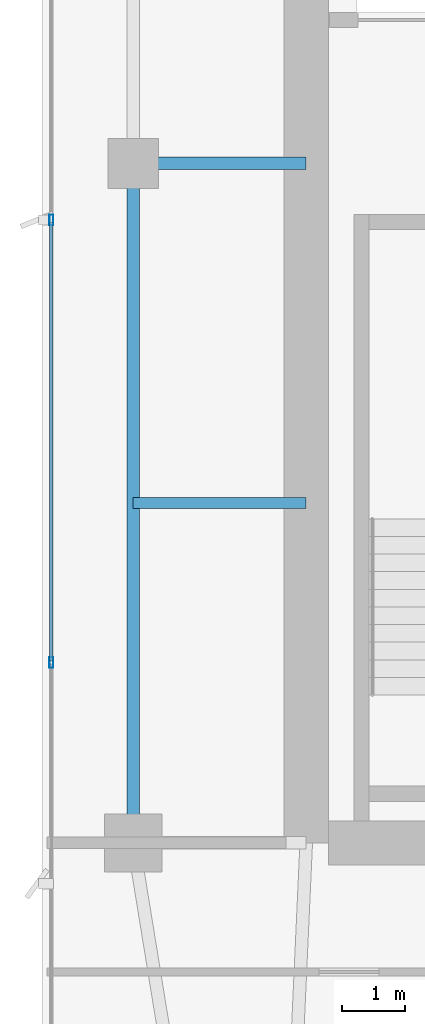
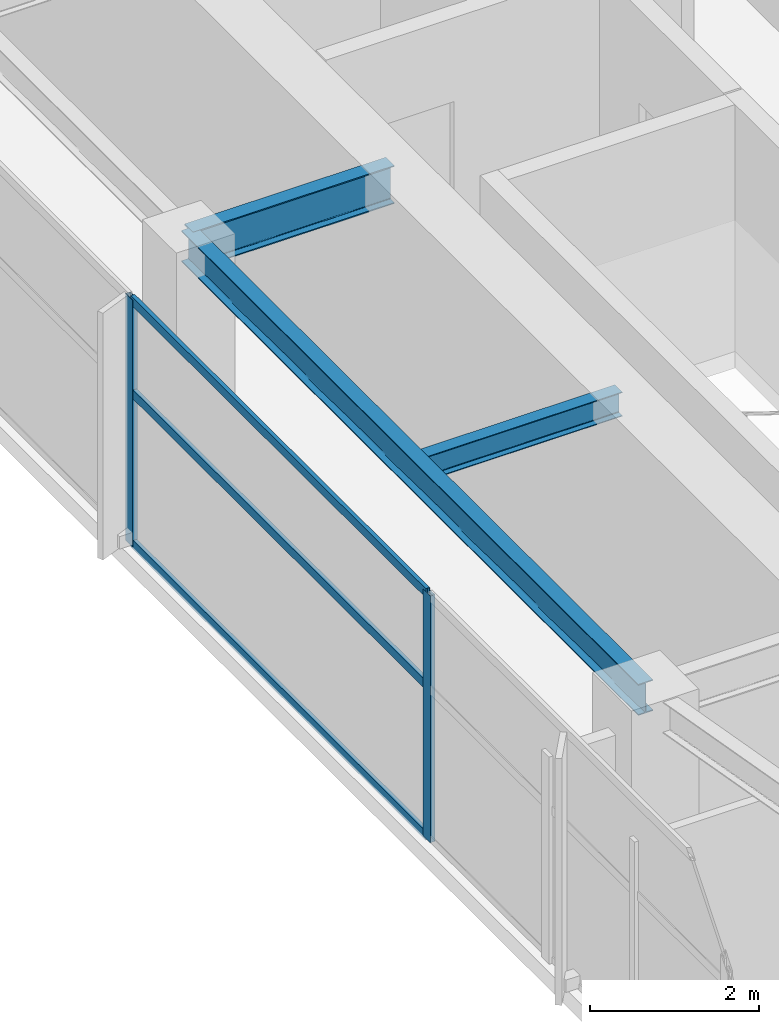
# One storey, part 9 of 29: 5 members, 3 beams, 1 element without a shape of its own.
"""IFC4 building model written with IfcOpenShell, lengths in metres."""

from ifc_helpers import new_model, si_unit, direction, frame, origin, origin_2d, place, context, subcontext, project, spatial, hollow_rectangle, i_section, extrude, material, layer, layer_set, material_profile, profile_set, type_object, element, aggregate, save


model = new_model("IFC4")

# Units and contexts
model_context = context("Model", 3, precision=1e-05, world=origin(), true_north=direction((0.0, 1.0)))
body_context = subcontext(model_context, "Body", "Model", "MODEL_VIEW")
ifc_project = project(units=[si_unit("LENGTHUNIT", "METRE"), si_unit("AREAUNIT", "SQUARE_METRE"), si_unit("VOLUMEUNIT", "CUBIC_METRE"), si_unit("PLANEANGLEUNIT", "RADIAN"), si_unit("MASSUNIT", "GRAM", prefix="KILO")], contexts=[model_context])

# Site, building, storey
site_placement = place(None, origin())
site = spatial("IfcSite", under=ifc_project, at=site_placement, CompositionType="ELEMENT")
building_placement = place(site_placement, origin())
building = spatial("IfcBuilding", under=site, at=building_placement, Name="Calvorn Quay Hotel", CompositionType="ELEMENT")
storey_placement = place(building_placement, frame((0.0, 0.0, 251.39990234375)))
storey = spatial("IfcBuildingStorey", under=building, at=storey_placement, Name="L62", CompositionType="ELEMENT", Elevation=251.39990234375)

# Beams
ifc_material_1 = material(Name="Steel Q355B", Category="steel")
ifc_material_profile_1 = material_profile(ifc_material_1, i_section(OverallWidth=0.199951171875, OverallDepth=0.550048828125, WebThickness=0.010009765625, FlangeThickness=0.01611328125, FilletRadius=0.01806640625, at=origin_2d()), Name="HN550x200x10x16")
ifc_profile_set_1 = profile_set([ifc_material_profile_1], Name="Steel Q355B")
beam_type_1 = type_object("IfcBeamType", Name="BM-GIRD-UPP", PredefinedType="BEAM", material=ifc_profile_set_1)
beam_1_placement = place(storey_placement, frame((1.449951171875, 27.60009765625, 3.26513671875), z_axis=(1.0, 0.0, 0.0), x_axis=(0.0, 1.0, 0.0)))
element("IfcBeam", 1, at=beam_1_placement, inside=storey, type_object=beam_type_1, Name="Beam BG-L62-W2", PredefinedType="BEAM", context=body_context, shape_type="SweptSolid", body=[
    extrude(i_section(OverallWidth=0.199951171875, OverallDepth=0.550048828125, WebThickness=0.010009765625, FlangeThickness=0.01611328125, FilletRadius=0.01806640625, at=origin_2d()), origin(), (0.0, 0.0, 1.0), 2.75),
])
ifc_material_2 = material(Name="Steel Q355B", Category="steel")
ifc_material_profile_2 = material_profile(ifc_material_2, i_section(OverallWidth=0.175048828125, OverallDepth=0.35009765625, WebThickness=0.007080078125, FlangeThickness=0.010986328125, FilletRadius=0.013916015625, at=origin_2d()), Name="HN350x175x7x11")
ifc_profile_set_2 = profile_set([ifc_material_profile_2], Name="Steel Q355B")
beam_type_2 = type_object("IfcBeamType", Name="BM-JOIST-SEC", PredefinedType="JOIST", material=ifc_profile_set_2)
beam_2_placement = place(storey_placement, frame((1.449951171875, 22.199951171875, 3.364990234375), z_axis=(1.0, 0.0, 0.0), x_axis=(0.0, 1.0, 0.0)))
element("IfcBeam", 2, at=beam_2_placement, inside=storey, type_object=beam_type_2, Name="Beam BJ-L62-W3", PredefinedType="JOIST", context=body_context, shape_type="SweptSolid", body=[
    extrude(i_section(OverallWidth=0.175048828125, OverallDepth=0.35009765625, WebThickness=0.007080078125, FlangeThickness=0.010986328125, FilletRadius=0.013916015625, at=origin_2d()), origin(), (0.0, 0.0, 1.0), 2.75),
])
ifc_material_3 = material(Name="Steel Q355B", Category="steel")
ifc_material_profile_3 = material_profile(ifc_material_3, i_section(OverallWidth=0.199951171875, OverallDepth=0.449951171875, WebThickness=0.009033203125, FlangeThickness=0.013916015625, FilletRadius=0.01611328125, at=origin_2d()), Name="HN450x200x9x14")
ifc_profile_set_3 = profile_set([ifc_material_profile_3], Name="Steel Q355B")
beam_type_3 = type_object("IfcBeamType", Name="BM-SPANDREL-Z3", PredefinedType="SPANDREL", material=ifc_profile_set_3)
beam_3_placement = place(storey_placement, frame((1.449951171875, 16.800048828125, 3.315185546875), z_axis=(0.0, 1.0, 0.0), x_axis=(-1.0, 0.0, 0.0)))
element("IfcBeam", 3, at=beam_3_placement, inside=storey, type_object=beam_type_3, Name="Beam BSP-L62-W2", PredefinedType="SPANDREL", context=body_context, shape_type="SweptSolid", body=[
    extrude(i_section(OverallWidth=0.199951171875, OverallDepth=0.449951171875, WebThickness=0.009033203125, FlangeThickness=0.013916015625, FilletRadius=0.01611328125, at=origin_2d()), origin(), (0.0, 0.0, 1.0), 10.800048828125),
])

# Curtain wall, members
ifc_material_4 = material(Name="Champagne Bronze Anodised Aluminium and Low-E Glass", Category="aluminium")
ifc_layer = layer(ifc_material_4, 0.219970703125)
ifc_layer_set = layer_set([ifc_layer], Name="CW-SYS-Z4")
curtain_wall_type = type_object("IfcCurtainWallType", Name="CW-SYS-Z4", PredefinedType="NOTDEFINED", material=ifc_layer_set)
curtain_wall_placement = place(storey_placement, origin())
curtain_wall = element("IfcCurtainWall", 4, at=curtain_wall_placement, inside=storey, type_object=curtain_wall_type, Name="Tower West Curtain Wall (L62)", PredefinedType="NOTDEFINED")
ifc_material_5 = material(Name="Champagne Bronze Anodised Aluminium 6063-T6", Category="aluminium")
ifc_material_profile_4 = material_profile(ifc_material_5, hollow_rectangle(XDim=0.06494140625, YDim=0.169921875, WallThickness=0.00341796875, at=origin_2d()), Name="ALU-M170x65x3.5")
ifc_profile_set_4 = profile_set([ifc_material_profile_4], Name="Champagne Bronze Anodised Aluminium 6063-T6")
member_type_1 = type_object("IfcMemberType", Name="CW-SYS-Z4-MUL", PredefinedType="MULLION", material=ifc_profile_set_4)
member_1_placement = place(storey_placement, frame((0.14990234375, 19.666748046875, 0.0), z_axis=(0.0, 0.0, 1.0), x_axis=(-1.0, 0.0, 0.0)))
member_1 = element("IfcMember", 5, at=member_1_placement, type_object=member_type_1, Name="CW-L62-W mullion 3", PredefinedType="MULLION", context=body_context, shape_type="SweptSolid", body=[
    extrude(hollow_rectangle(XDim=0.06494140625, YDim=0.169921875, WallThickness=0.00341796875, at=origin_2d()), origin(), (0.0, 0.0, 1.0), 3.56005859375),
])
member_2_placement = place(storey_placement, frame((0.14990234375, 26.699951171875, 0.0), z_axis=(0.0, 0.0, 1.0), x_axis=(-1.0, 0.0, 0.0)))
member_2 = element("IfcMember", 6, at=member_2_placement, type_object=member_type_1, Name="CW-L62-W mullion 4", PredefinedType="MULLION", context=body_context, shape_type="SweptSolid", body=[
    extrude(hollow_rectangle(XDim=0.06494140625, YDim=0.169921875, WallThickness=0.00341796875, at=origin_2d()), origin(), (0.0, 0.0, 1.0), 3.56005859375),
])
ifc_material_6 = material(Name="Champagne Bronze Anodised Aluminium 6063-T6", Category="aluminium")
ifc_material_profile_5 = material_profile(ifc_material_6, hollow_rectangle(XDim=0.054931640625, YDim=0.1298828125, WallThickness=0.003173828125, at=origin_2d()), Name="ALU-T130x55x3.2")
ifc_profile_set_5 = profile_set([ifc_material_profile_5], Name="Champagne Bronze Anodised Aluminium 6063-T6")
member_type_2 = type_object("IfcMemberType", Name="CW-SYS-Z4-TRN", PredefinedType="USERDEFINED", material=ifc_profile_set_5)
member_3_placement = place(storey_placement, frame((0.14990234375, 19.69677734375, 0.030029296875), z_axis=(0.0, 1.0, 0.0), x_axis=(-1.0, 0.0, 0.0)))
member_3 = element("IfcMember", 7, at=member_3_placement, type_object=member_type_2, Name="CW-L62-W transom 3.1", ObjectType="TRANSOM", PredefinedType="USERDEFINED", context=body_context, shape_type="SweptSolid", body=[
    extrude(hollow_rectangle(XDim=0.054931640625, YDim=0.1298828125, WallThickness=0.003173828125, at=origin_2d()), origin(), (0.0, 0.0, 1.0), 6.97314453125),
])
member_4_placement = place(storey_placement, frame((0.14990234375, 19.69677734375, 2.2001953125), z_axis=(0.0, 1.0, 0.0), x_axis=(-1.0, 0.0, 0.0)))
member_4 = element("IfcMember", 8, at=member_4_placement, type_object=member_type_2, Name="CW-L62-W transom 3.2", ObjectType="TRANSOM", PredefinedType="USERDEFINED", context=body_context, shape_type="SweptSolid", body=[
    extrude(hollow_rectangle(XDim=0.054931640625, YDim=0.1298828125, WallThickness=0.003173828125, at=origin_2d()), origin(), (0.0, 0.0, 1.0), 6.97314453125),
])
member_5_placement = place(storey_placement, frame((0.14990234375, 19.69677734375, 3.530029296875), z_axis=(0.0, 1.0, 0.0), x_axis=(-1.0, 0.0, 0.0)))
member_5 = element("IfcMember", 9, at=member_5_placement, type_object=member_type_2, Name="CW-L62-W transom 3.3", ObjectType="TRANSOM", PredefinedType="USERDEFINED", context=body_context, shape_type="SweptSolid", body=[
    extrude(hollow_rectangle(XDim=0.054931640625, YDim=0.1298828125, WallThickness=0.003173828125, at=origin_2d()), origin(), (0.0, 0.0, 1.0), 6.97314453125),
])
aggregate(curtain_wall, [member_1, member_2, member_3, member_4, member_5])

save(model, "model.ifc")
